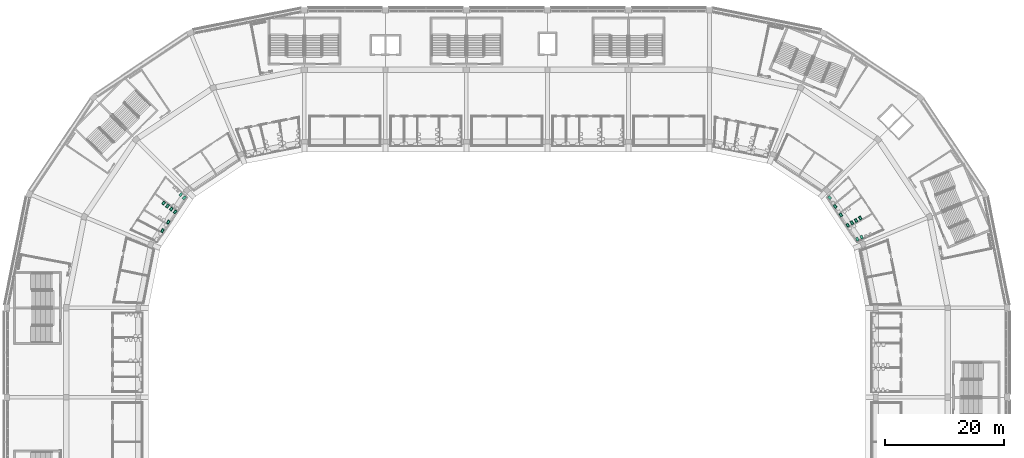
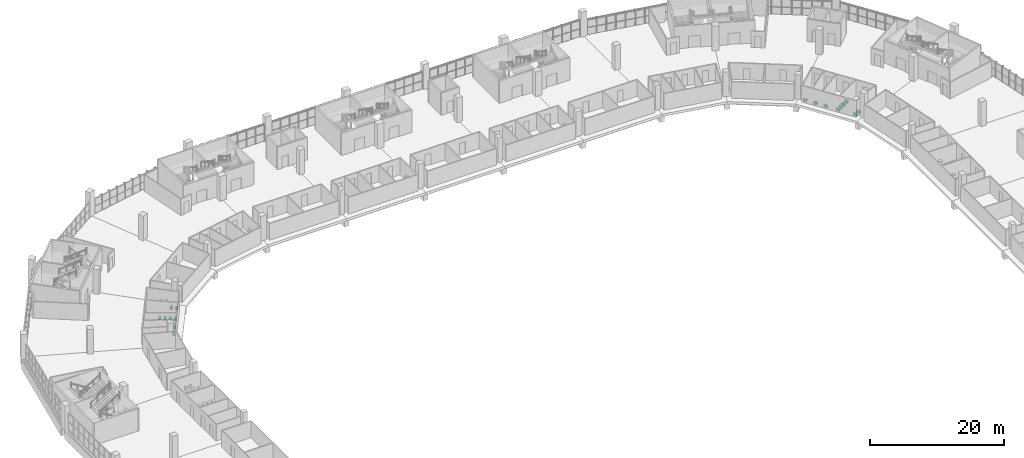
# One storey, part 194 of 199: 17 sanitary terminals.
"""IFC4 building model written with IfcOpenShell, lengths in metres."""

from ifc_helpers import new_model, si_unit, direction, frame, origin, origin_2d, place, context, subcontext, project, spatial, rectangle, extrude, material, type_object, element, save


model = new_model("IFC4")

# Units and contexts
model_context = context("Model", 3, precision=1e-05, world=origin(), true_north=direction((0.0, 1.0)))
body_context = subcontext(model_context, "Body", "Model", "MODEL_VIEW")
ifc_project = project(units=[si_unit("LENGTHUNIT", "METRE"), si_unit("AREAUNIT", "SQUARE_METRE"), si_unit("VOLUMEUNIT", "CUBIC_METRE"), si_unit("PLANEANGLEUNIT", "RADIAN"), si_unit("MASSUNIT", "GRAM", prefix="KILO")], contexts=[model_context])

# Site, building, storey
site_placement = place(None, origin())
site = spatial("IfcSite", under=ifc_project, at=site_placement, CompositionType="ELEMENT")
building_placement = place(site_placement, origin())
building = spatial("IfcBuilding", under=site, at=building_placement, Name="Ogive Plaza Stadium", CompositionType="ELEMENT")
storey_placement = place(building_placement, frame((0.0, 0.0, 4.5)))
storey = spatial("IfcBuildingStorey", under=building, at=storey_placement, Name="L01", CompositionType="ELEMENT", Elevation=4.5)

# Sanitary terminals
ifc_material = material(Name="Vitreous china", Category="ceramic")
sanitary_terminal_type = type_object("IfcSanitaryTerminalType", Name="Water closet", PredefinedType="TOILETPAN", material=ifc_material)
for number, where, z_axis, x_axis, name in (
    (1, (-54.17138671875, 70.993896484375, 0.0), (0.0, 0.0, 1.0), (-0.72963734478, 0.683834296524, 0.0), "Water closet L01-094"),
    (2, (-54.755126953125, 71.541015625, 0.0), (0.0, 0.0, 1.0), (-0.72963734478, 0.683834296524, 0.0), "Water closet L01-094"),
    (3, (58.805419921875, 64.05859375, 0.0), (0.0, 0.0, 1.0), (0.91100063367, 0.412404953235, 0.0), "Water closet L01-129"),
    (4, (59.5341796875, 64.388427734375, 0.0), (0.0, 0.0, 1.0), (0.91100063367, 0.412404953235, 0.0), "Water closet L01-129"),
    (5, (-55.712646484375, 68.637451171875, 0.0), (0.0, 0.0, 1.0), (-0.795936498762, 0.605380120205, 0.0), "Water closet L01-095"),
    (6, (-56.349365234375, 69.12158203125, 0.0), (0.0, 0.0, 1.0), (-0.795936498762, 0.605380120205, 0.0), "Water closet L01-095"),
    (7, (-56.986083984375, 69.60595703125, 0.0), (0.0, 0.0, 1.0), (-0.795936498762, 0.605380120205, 0.0), "Water closet L01-095"),
    (8, (-57.622802734375, 70.09033203125, 0.0), (0.0, 0.0, 1.0), (-0.795936498762, 0.605380120205, 0.0), "Water closet L01-095"),
    (9, (-56.859375, 66.908935546875, 0.0), (0.0, 0.0, 1.0), (-0.851834830375, 0.523810482675, 0.0), "Water closet L01-095"),
    (10, (57.218017578125, 66.38427734375, 0.0), (0.0, 0.0, 1.0), (0.863890013737, 0.503680498099, 0.0), "Water closet L01-130"),
    (11, (57.9091796875, 66.787109375, 0.0), (0.0, 0.0, 1.0), (0.863890013737, 0.503680498099, 0.0), "Water closet L01-130"),
    (12, (58.600341796875, 67.190185546875, 0.0), (0.0, 0.0, 1.0), (0.863890013737, 0.503680498099, 0.0), "Water closet L01-130"),
    (13, (59.29150390625, 67.593017578125, 0.0), (0.0, 0.0, 1.0), (0.863890013737, 0.503680498099, 0.0), "Water closet L01-130"),
    (14, (56.06005859375, 68.105224609375, 0.0), (0.0, 0.0, 1.0), (0.809920860554, 0.586539171445, 0.0), "Water closet L01-130"),
    (15, (-57.832763671875, 65.484619140625, 0.0), (0.0, 0.0, 1.0), (-0.883365946079, 0.468683907669, 0.0), "Water closet L01-096"),
    (16, (55.116455078125, 69.549560546875, 0.0), (0.0, 0.0, 1.0), (0.771056981793, 0.636766150819, 0.0), "Water closet L01-131"),
    (17, (54.17138671875, 70.993896484375, 0.0), (0.0, 0.0, 1.0), (0.72963734478, 0.683834296524, 0.0), "Water closet L01-132"),
):
    element("IfcSanitaryTerminal", number, at=place(storey_placement, frame(where, z_axis=z_axis, x_axis=x_axis)), inside=storey, type_object=sanitary_terminal_type, Name=name, PredefinedType="TOILETPAN", context=body_context, shape_type="SweptSolid", body=[
        extrude(rectangle(XDim=0.39990234375, YDim=0.60009765625, at=origin_2d()), origin(), (0.0, 0.0, 1.0), 0.39990234375),
    ])

save(model, "model.ifc")
